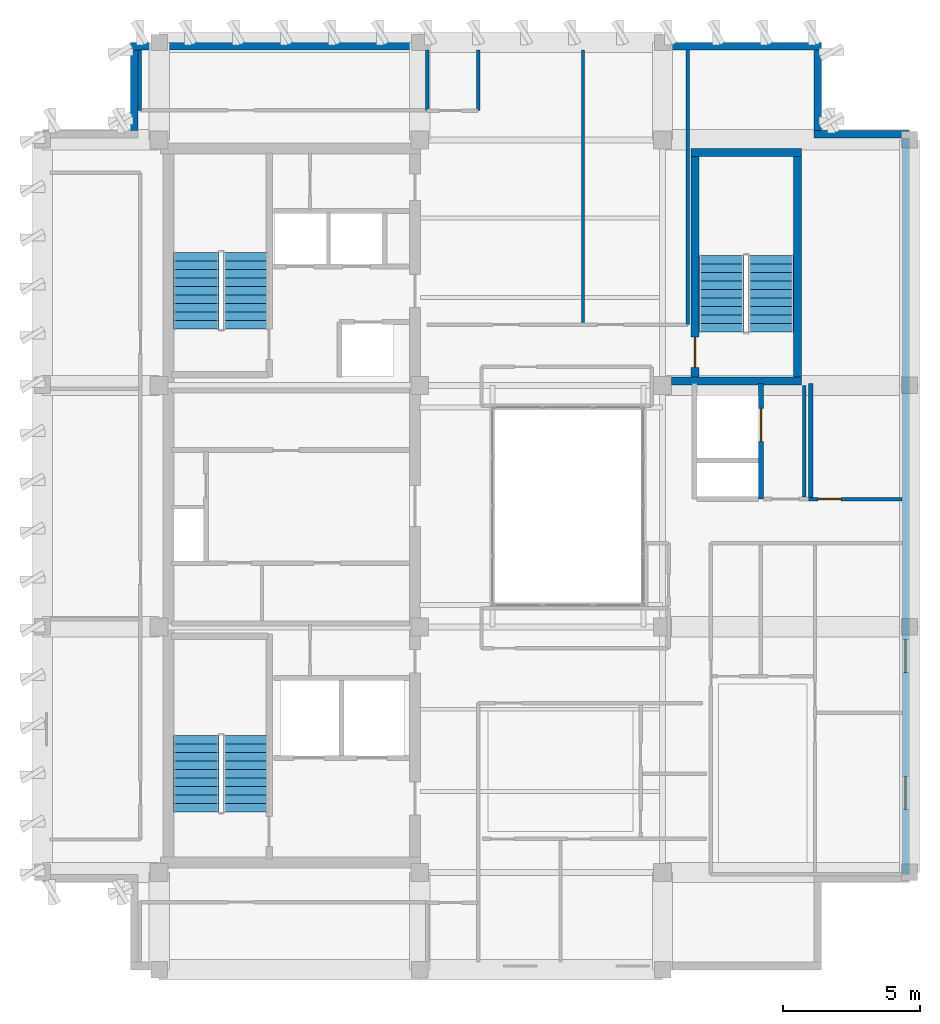
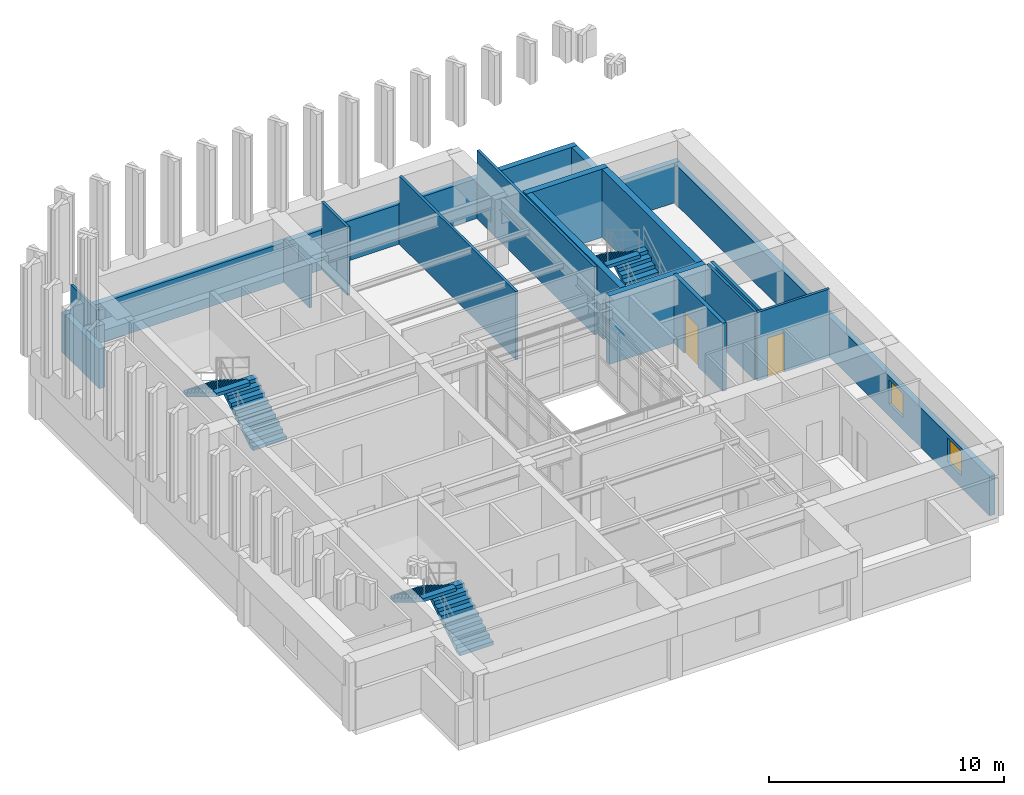
# One storey, part 9 of 11: 18 walls, 6 stair flights, 3 doors, 2 windows, 5 openings, 3 elements without a shape of their own.
"""IFC4 building model written with IfcOpenShell, lengths in metres."""

from ifc_helpers import new_model, si_unit, direction, frame, frame_2d, origin, place, context, subcontext, project, spatial, polyline, rectangle, outline, extrude, material, layer, layer_set, type_object, element, fill, aggregate, save


model = new_model("IFC4")

# Units and contexts
model_context = context("Model", 3, precision=1e-05, world=origin(), true_north=direction((0.0, 1.0)))
body_context = subcontext(model_context, "Body", "Model", "MODEL_VIEW")
ifc_project = project(units=[si_unit("LENGTHUNIT", "METRE"), si_unit("AREAUNIT", "SQUARE_METRE"), si_unit("VOLUMEUNIT", "CUBIC_METRE"), si_unit("PLANEANGLEUNIT", "RADIAN"), si_unit("MASSUNIT", "GRAM", prefix="KILO")], contexts=[model_context])

# Site, building, storey
site_placement = place(None, origin())
site = spatial("IfcSite", under=ifc_project, at=site_placement, CompositionType="ELEMENT")
building_placement = place(site_placement, origin())
building = spatial("IfcBuilding", under=site, at=building_placement, Name="Kundavana Baori Tower", CompositionType="ELEMENT")
storey_placement = place(building_placement, frame((0.0, 0.0, 346.699951171875)))
storey = spatial("IfcBuildingStorey", under=building, at=storey_placement, Name="L86", CompositionType="ELEMENT", Elevation=346.699951171875)

# Wall, openings, windows
ifc_material_1 = material(Name="Red-Buff Dholpur Sandstone Cladding on Concrete C40/50", Category="masonry")
ifc_layer_1 = layer(ifc_material_1, 0.280029296875, Name="WL-EXT-SAND-280")
ifc_layer_set_1 = layer_set([ifc_layer_1], Name="Red-Buff Dholpur Sandstone Cladding on Concrete C40/50")
wall_type_1 = type_object("IfcWallType", Name="WL-EXT-SAND-280", PredefinedType="STANDARD", material=ifc_layer_set_1)
wall_1_placement = place(storey_placement, frame((42.659912109375, 15.179931640625, 0.0), z_axis=(0.0, 0.0, 1.0), x_axis=(0.0, 1.0, 0.0)))
wall_1 = element("IfcWall", 1, at=wall_1_placement, inside=storey, type_object=wall_type_1, Name="L86 Exterior Insulated Facade Wall 04", PredefinedType="STANDARD", context=body_context, shape_type="SweptSolid", body=[
    extrude(rectangle(XDim=26.840087890625, YDim=0.280029296875, at=frame_2d((13.419921875, 0.0))), origin(), (0.0, 0.0, 1.0), 2.070068359375),
])
opening_1_placement = place(wall_1_placement, frame((2.364990234375, 0.0, 0.64990234375)))
opening_1 = element("IfcOpeningElement", 2, at=opening_1_placement, cuts=wall_1, Name="Opening W-12", PredefinedType="OPENING", context=body_context, shape_type="SweptSolid", body=[
    extrude(rectangle(XDim=1.199951171875, YDim=1.25, at=frame_2d((0.60009765625, 0.625))), frame((0.0, 0.14990234375, 0.0), z_axis=(0.0, -1.0, 0.0), x_axis=(1.0, 0.0, 0.0)), (0.0, 0.0, 1.0), 0.300048828125),
])
opening_2_placement = place(wall_1_placement, frame((7.35498046875, 0.0, 0.64990234375)))
opening_2 = element("IfcOpeningElement", 3, at=opening_2_placement, cuts=wall_1, Name="Opening W-12", PredefinedType="OPENING", context=body_context, shape_type="SweptSolid", body=[
    extrude(rectangle(XDim=1.199951171875, YDim=1.25, at=frame_2d((0.60009765625, 0.625))), frame((0.0, 0.14990234375, 0.0), z_axis=(0.0, -1.0, 0.0), x_axis=(1.0, 0.0, 0.0)), (0.0, 0.0, 1.0), 0.300048828125),
])
ifc_material_2 = material(Name="Double-Glazed Solar-Control Low-E Insulated Glass", Category="glass")
window_type = type_object("IfcWindowType", Name="WIN-TRN-1200x1250", PartitioningType="SINGLE_PANEL", PredefinedType="WINDOW", material=ifc_material_2)
window_1_placement = place(opening_1_placement, origin())
window_1 = element("IfcWindow", 4, at=window_1_placement, inside=storey, type_object=window_type, Name="L86 Dwelling Outlook Window DW-4", OverallHeight=1.25, OverallWidth=1.199951171875, PartitioningType="SINGLE_PANEL", PredefinedType="WINDOW", context=body_context, shape_type="SweptSolid", body=[
    extrude(rectangle(XDim=1.199951171875, YDim=1.25, at=frame_2d((0.60009765625, 0.625))), frame((0.0, 0.030029296875, 0.0), z_axis=(0.0, -1.0, 0.0), x_axis=(1.0, 0.0, 0.0)), (0.0, 0.0, 1.0), 0.06005859375),
])
fill(opening_1, window_1)
window_2_placement = place(opening_2_placement, origin())
window_2 = element("IfcWindow", 5, at=window_2_placement, inside=storey, type_object=window_type, Name="L86 Dwelling Outlook Window DW-5", OverallHeight=1.25, OverallWidth=1.199951171875, PartitioningType="SINGLE_PANEL", PredefinedType="WINDOW", context=body_context, shape_type="SweptSolid", body=[
    extrude(rectangle(XDim=1.199951171875, YDim=1.25, at=frame_2d((0.60009765625, 0.625))), frame((0.0, 0.030029296875, 0.0), z_axis=(0.0, -1.0, 0.0), x_axis=(1.0, 0.0, 0.0)), (0.0, 0.0, 1.0), 0.06005859375),
])
fill(opening_2, window_2)

# Walls
wall_2_placement = place(storey_placement, frame((42.800048828125, 42.159912109375, 0.0), z_axis=(0.0, 0.0, 1.0), x_axis=(-1.0, 0.0, 0.0)))
element("IfcWall", 6, at=wall_2_placement, inside=storey, type_object=wall_type_1, Name="L86 Exterior Insulated Facade Wall 05", PredefinedType="STANDARD", context=body_context, shape_type="SweptSolid", body=[
    extrude(rectangle(XDim=3.47998046875, YDim=0.280029296875, at=frame_2d((1.739990234375, 0.0))), origin(), (0.0, 0.0, 1.0), 2.070068359375),
])
wall_3_placement = place(storey_placement, frame((39.4599609375, 42.300048828125, 0.0), z_axis=(0.0, 0.0, 1.0), x_axis=(0.0, 1.0, 0.0)))
element("IfcWall", 7, at=wall_3_placement, inside=storey, type_object=wall_type_1, Name="L86 Exterior Insulated Facade Wall 06", PredefinedType="STANDARD", context=body_context, shape_type="SweptSolid", body=[
    extrude(rectangle(XDim=2.919921875, YDim=0.280029296875, at=frame_2d((1.4599609375, 0.0))), origin(), (0.0, 0.0, 1.0), 2.070068359375),
])
wall_4_placement = place(storey_placement, frame((39.60009765625, 45.360107421875, 0.0), z_axis=(0.0, 0.0, 1.0), x_axis=(-1.0, 0.0, 0.0)))
element("IfcWall", 8, at=wall_4_placement, inside=storey, type_object=wall_type_1, Name="L86 Exterior Insulated Facade Wall 07", PredefinedType="STANDARD", context=body_context, shape_type="SweptSolid", body=[
    extrude(rectangle(XDim=25.2001953125, YDim=0.280029296875, at=frame_2d((12.60009765625, 0.0))), origin(), (0.0, 0.0, 1.0), 2.070068359375),
])
wall_5_placement = place(storey_placement, frame((14.5400390625, 45.219970703125, 0.0), z_axis=(0.0, 0.0, 1.0), x_axis=(0.0, -1.0, 0.0)))
element("IfcWall", 9, at=wall_5_placement, inside=storey, type_object=wall_type_1, Name="L86 Exterior Insulated Facade Wall 08", PredefinedType="STANDARD", context=body_context, shape_type="SweptSolid", body=[
    extrude(rectangle(XDim=2.919921875, YDim=0.280029296875, at=frame_2d((1.4599609375, 0.0))), origin(), (0.0, 0.0, 1.0), 2.070068359375),
])
ifc_material_3 = material(Name="Fire-Rated Gypsum Drywall on Galvanised Steel Studs", Category="steel")
ifc_layer_2 = layer(ifc_material_3, 0.14990234375, Name="WL-PART-150")
ifc_layer_set_2 = layer_set([ifc_layer_2], Name="Fire-Rated Gypsum Drywall on Galvanised Steel Studs")
wall_type_2 = type_object("IfcWallType", Name="WL-PART-150", PredefinedType="PARTITIONING", material=ifc_layer_set_2)
wall_6_placement = place(storey_placement, frame((39.199951171875, 28.860107421875, 0.0), z_axis=(0.0, 0.0, 1.0), x_axis=(0.0, 1.0, 0.0)))
element("IfcWall", 10, at=wall_6_placement, inside=storey, type_object=wall_type_2, Name="WL-L86-SVLOB-E", PredefinedType="PARTITIONING", context=body_context, shape_type="SweptSolid", body=[
    extrude(rectangle(XDim=4.219970703125, YDim=0.14990234375, at=frame_2d((2.10986328125, 0.0))), origin(), (0.0, 0.0, 1.0), 3.550048828125),
])

# Wall, opening, door
ifc_material_4 = material(Name="Autoclaved Aerated Concrete Blockwork Masonry", Category="masonry")
ifc_layer_3 = layer(ifc_material_4, 0.179931640625, Name="WL-SHAFT-180")
ifc_layer_set_3 = layer_set([ifc_layer_3], Name="Autoclaved Aerated Concrete Blockwork Masonry")
wall_type_3 = type_object("IfcWallType", Name="WL-SHAFT-180", PredefinedType="SOLIDWALL", material=ifc_layer_set_3)
wall_7_placement = place(storey_placement, frame((37.389892578125, 28.860107421875, 0.0), z_axis=(0.0, 0.0, 1.0), x_axis=(0.0, 1.0, 0.0)))
wall_7 = element("IfcWall", 11, at=wall_7_placement, inside=storey, type_object=wall_type_3, Name="WL-L86-SVL-E", PredefinedType="SOLIDWALL", context=body_context, shape_type="SweptSolid", body=[
    extrude(rectangle(XDim=4.219970703125, YDim=0.179931640625, at=frame_2d((2.10986328125, 0.0))), origin(), (0.0, 0.0, 1.0), 3.550048828125),
])
opening_3_placement = place(wall_7_placement, frame((2.10009765625, 0.0, 0.0)))
opening_3 = element("IfcOpeningElement", 12, at=opening_3_placement, cuts=wall_7, Name="Opening LD-120", PredefinedType="OPENING", context=body_context, shape_type="SweptSolid", body=[
    extrude(rectangle(XDim=1.199951171875, YDim=2.1201171875, at=frame_2d((0.60009765625, 1.06005859375))), frame((0.0, 0.10009765625, 0.0), z_axis=(0.0, -1.0, 0.0), x_axis=(1.0, 0.0, 0.0)), (0.0, 0.0, 1.0), 0.199951171875),
])
ifc_material_5 = material(Name="Galvanised Steel Fire-Rated Door Leaf", Category="steel")
door_type_1 = type_object("IfcDoorType", Name="DR-SLIDE-LD1200", OperationType="NOTDEFINED", PredefinedType="DOOR", material=ifc_material_5)
door_1_placement = place(opening_3_placement, frame((1.199951171875, 0.0, 0.0), z_axis=(0.0, 0.0, 1.0), x_axis=(-1.0, 0.0, 0.0)))
door_1 = element("IfcDoor", 13, at=door_1_placement, inside=storey, type_object=door_type_1, Name="DR-L86-LD-SVL1", OperationType="DOUBLE_DOOR_SLIDING", OverallHeight=2.1201171875, OverallWidth=1.199951171875, PredefinedType="DOOR", context=body_context, shape_type="SweptSolid", body=[
    extrude(rectangle(XDim=1.199951171875, YDim=2.1201171875, at=frame_2d((0.60009765625, 1.06005859375))), frame((0.0, 0.02490234375, 0.0), z_axis=(0.0, -1.0, 0.0), x_axis=(1.0, 0.0, 0.0)), (0.0, 0.0, 1.0), 0.050048828125),
])
fill(opening_3, door_1)

# Walls
ifc_material_6 = material(Name="Concrete C50/60", Category="concrete")
ifc_layer_4 = layer(ifc_material_6, 0.300048828125, Name="WL-ST3-300")
ifc_layer_set_4 = layer_set([ifc_layer_4], Name="Concrete C50/60")
wall_type_4 = type_object("IfcWallType", Name="WL-ST3-300", PredefinedType="SHEAR", material=ifc_layer_set_4)
wall_8_placement = place(storey_placement, frame((34.125, 33.159912109375, 0.0), z_axis=(0.0, 0.0, 1.0), x_axis=(1.0, 0.0, 0.0)))
element("IfcWall", 14, at=wall_8_placement, inside=storey, type_object=wall_type_4, Name="L86 Stair ST3 South Shear Wall", PredefinedType="SHEAR", context=body_context, shape_type="SweptSolid", body=[
    extrude(rectangle(XDim=4.7451171875, YDim=0.300048828125, at=frame_2d((2.37255859375, 0.0))), origin(), (0.0, 0.0, 1.0), 3.550048828125),
])
wall_9_placement = place(storey_placement, frame((34.830078125, 41.489990234375, 0.0), z_axis=(0.0, 0.0, 1.0), x_axis=(1.0, 0.0, 0.0)))
element("IfcWall", 15, at=wall_9_placement, inside=storey, type_object=wall_type_4, Name="L86 Stair ST3 North Shear Wall", PredefinedType="SHEAR", context=body_context, shape_type="SweptSolid", body=[
    extrude(rectangle(XDim=4.0400390625, YDim=0.300048828125, at=frame_2d((2.02001953125, 0.0))), origin(), (0.0, 0.0, 1.0), 3.550048828125),
])

# Wall, opening, door
wall_10_placement = place(storey_placement, frame((34.97998046875, 33.31005859375, 0.0), z_axis=(0.0, 0.0, 1.0), x_axis=(0.0, 1.0, 0.0)))
wall_10 = element("IfcWall", 16, at=wall_10_placement, inside=storey, type_object=wall_type_4, Name="L86 Stair ST3 West Shear Wall", PredefinedType="SHEAR", context=body_context, shape_type="SweptSolid", body=[
    extrude(rectangle(XDim=8.030029296875, YDim=0.300048828125, at=frame_2d((4.01513671875, 0.0))), origin(), (0.0, 0.0, 1.0), 3.550048828125),
])
opening_4_placement = place(wall_10_placement, frame((0.35009765625, 0.0, 0.0)))
opening_4 = element("IfcOpeningElement", 17, at=opening_4_placement, cuts=wall_10, Name="Opening FD-110", PredefinedType="OPENING", context=body_context, shape_type="SweptSolid", body=[
    extrude(rectangle(XDim=1.10009765625, YDim=2.10009765625, at=frame_2d((0.550048828125, 1.050048828125))), frame((0.0, 0.16015625, 0.0), z_axis=(0.0, -1.0, 0.0), x_axis=(1.0, 0.0, 0.0)), (0.0, 0.0, 1.0), 0.320068359375),
])
ifc_material_7 = material(Name="Galvanised Steel Fire-Rated Door Leaf", Category="steel")
door_type_2 = type_object("IfcDoorType", Name="DR-FD120-1100", OperationType="NOTDEFINED", PredefinedType="DOOR", material=ifc_material_7)
door_2_placement = place(opening_4_placement, origin())
door_2 = element("IfcDoor", 18, at=door_2_placement, inside=storey, type_object=door_type_2, Name="DR-L86-ST3-W", OperationType="SINGLE_SWING_LEFT", OverallHeight=2.10009765625, OverallWidth=1.10009765625, PredefinedType="DOOR", context=body_context, shape_type="SweptSolid", body=[
    extrude(rectangle(XDim=1.10009765625, YDim=2.10009765625, at=frame_2d((0.550048828125, 1.050048828125))), frame((0.0, 0.02490234375, 0.0), z_axis=(0.0, -1.0, 0.0), x_axis=(1.0, 0.0, 0.0)), (0.0, 0.0, 1.0), 0.050048828125),
])
fill(opening_4, door_2)

# Walls
wall_11_placement = place(storey_placement, frame((38.719970703125, 33.31005859375, 0.0), z_axis=(0.0, 0.0, 1.0), x_axis=(0.0, 1.0, 0.0)))
element("IfcWall", 19, at=wall_11_placement, inside=storey, type_object=wall_type_4, Name="L86 Stair ST3 East Shear Wall", PredefinedType="SHEAR", context=body_context, shape_type="SweptSolid", body=[
    extrude(rectangle(XDim=8.030029296875, YDim=0.300048828125, at=frame_2d((4.01513671875, 0.0))), origin(), (0.0, 0.0, 1.0), 3.550048828125),
])
ifc_material_8 = material(Name="Autoclaved Aerated Concrete Blockwork Masonry", Category="masonry")
ifc_layer_5 = layer(ifc_material_8, 0.125, Name="WL-WET-120")
ifc_layer_set_5 = layer_set([ifc_layer_5], Name="Autoclaved Aerated Concrete Blockwork Masonry")
wall_type_5 = type_object("IfcWallType", Name="WL-WET-120", PredefinedType="PLUMBINGWALL", material=ifc_layer_set_5)
wall_12_placement = place(storey_placement, frame((14.75, 43.030029296875, 0.0), z_axis=(0.0, 0.0, 1.0), x_axis=(0.0, 1.0, 0.0)))
element("IfcWall", 20, at=wall_12_placement, inside=storey, type_object=wall_type_5, Name="WL-L86-RNCW", PredefinedType="PLUMBINGWALL", context=body_context, shape_type="SweptSolid", body=[
    extrude(rectangle(XDim=2.18994140625, YDim=0.125, at=frame_2d((1.094970703125, 0.0))), origin(), (0.0, 0.0, 1.0), 3.550048828125),
])
wall_13_placement = place(storey_placement, frame((25.219970703125, 43.030029296875, 0.0), z_axis=(0.0, 0.0, 1.0), x_axis=(0.0, 1.0, 0.0)))
element("IfcWall", 21, at=wall_13_placement, inside=storey, type_object=wall_type_5, Name="WL-L86-RNCE", PredefinedType="PLUMBINGWALL", context=body_context, shape_type="SweptSolid", body=[
    extrude(rectangle(XDim=2.18994140625, YDim=0.125, at=frame_2d((1.094970703125, 0.0))), origin(), (0.0, 0.0, 1.0), 2.22998046875),
])
wall_14_placement = place(storey_placement, frame((34.719970703125, 35.219970703125, 0.0), z_axis=(0.0, 0.0, 1.0), x_axis=(0.0, 1.0, 0.0)))
element("IfcWall", 22, at=wall_14_placement, inside=storey, type_object=wall_type_5, Name="WL-L86-RNEND", PredefinedType="PLUMBINGWALL", context=body_context, shape_type="SweptSolid", body=[
    extrude(rectangle(XDim=10.0, YDim=0.125, at=frame_2d((5.0, 0.0))), origin(), (0.0, 0.0, 1.0), 3.550048828125),
])
wall_15_placement = place(storey_placement, frame((30.89990234375, 35.300048828125, 0.0), z_axis=(0.0, 0.0, 1.0), x_axis=(0.0, 1.0, 0.0)))
element("IfcWall", 23, at=wall_15_placement, inside=storey, type_object=wall_type_5, Name="WL-L86-RND85", PredefinedType="PLUMBINGWALL", context=body_context, shape_type="SweptSolid", body=[
    extrude(rectangle(XDim=9.919921875, YDim=0.125, at=frame_2d((4.9599609375, 0.0))), origin(), (0.0, 0.0, 1.0), 3.550048828125),
])

# Wall, opening, door
wall_16_placement = place(storey_placement, frame((38.9599609375, 28.860107421875, 0.0), z_axis=(0.0, 0.0, 1.0), x_axis=(1.0, 0.0, 0.0)))
wall_16 = element("IfcWall", 24, at=wall_16_placement, inside=storey, type_object=wall_type_5, Name="WL-L86-CNES", PredefinedType="PLUMBINGWALL", context=body_context, shape_type="SweptSolid", body=[
    extrude(rectangle(XDim=3.56005859375, YDim=0.125, at=frame_2d((1.780029296875, 0.0))), origin(), (0.0, 0.0, 1.0), 3.550048828125),
])
opening_5_placement = place(wall_16_placement, frame((0.5, 0.0, 0.0)))
opening_5 = element("IfcOpeningElement", 25, at=opening_5_placement, cuts=wall_16, Name="Opening WD-085", PredefinedType="OPENING", context=body_context, shape_type="SweptSolid", body=[
    extrude(rectangle(XDim=0.85009765625, YDim=2.050048828125, at=frame_2d((0.425048828125, 1.02490234375))), frame((0.0, 0.072509765625, 0.0), z_axis=(0.0, -1.0, 0.0), x_axis=(1.0, 0.0, 0.0)), (0.0, 0.0, 1.0), 0.14501953125),
])
ifc_material_9 = material(Name="Engineered Teak Solid-Core Timber Veneer", Category="wood")
door_type_3 = type_object("IfcDoorType", Name="DR-WET-850", OperationType="NOTDEFINED", PredefinedType="DOOR", material=ifc_material_9)
door_3_placement = place(opening_5_placement, origin())
door_3 = element("IfcDoor", 26, at=door_3_placement, inside=storey, type_object=door_type_3, Name="DR-L86-RCNE", OperationType="SINGLE_SWING_LEFT", OverallHeight=2.050048828125, OverallWidth=0.85009765625, PredefinedType="DOOR", context=body_context, shape_type="SweptSolid", body=[
    extrude(rectangle(XDim=0.85009765625, YDim=2.050048828125, at=frame_2d((0.425048828125, 1.02490234375))), frame((0.0, 0.02490234375, 0.0), z_axis=(0.0, -1.0, 0.0), x_axis=(1.0, 0.0, 0.0)), (0.0, 0.0, 1.0), 0.050048828125),
])
fill(opening_5, door_3)

# Walls
wall_17_placement = place(storey_placement, frame((38.9599609375, 28.93994140625, 0.0), z_axis=(0.0, 0.0, 1.0), x_axis=(0.0, 1.0, 0.0)))
element("IfcWall", 27, at=wall_17_placement, inside=storey, type_object=wall_type_5, Name="WL-L86-CNEW", PredefinedType="PLUMBINGWALL", context=body_context, shape_type="SweptSolid", body=[
    extrude(rectangle(XDim=4.06005859375, YDim=0.125, at=frame_2d((2.030029296875, 0.0))), origin(), (0.0, 0.0, 1.0), 3.550048828125),
])
wall_18_placement = place(storey_placement, frame((27.080078125, 43.02001953125, 0.0), z_axis=(0.0, 0.0, 1.0), x_axis=(0.0, 1.0, 0.0)))
element("IfcWall", 28, at=wall_18_placement, inside=storey, type_object=wall_type_5, Name="WL-L86-CNCE", PredefinedType="PLUMBINGWALL", context=body_context, shape_type="SweptSolid", body=[
    extrude(rectangle(XDim=2.199951171875, YDim=0.125, at=frame_2d((1.10009765625, 0.0))), origin(), (0.0, 0.0, 1.0), 3.550048828125),
])

# Stair, stair flights
ifc_material_10 = material(Name="Concrete C40/50", Category="concrete")
stair_type = type_object("IfcStairType", Name="STR-DOG-1650", PredefinedType="HALF_TURN_STAIR", material=ifc_material_10)
stair_1_placement = place(storey_placement, origin())
stair_1 = element("IfcStair", 29, at=stair_1_placement, inside=storey, type_object=stair_type, Name="L86 Protected Exit Stair ST1", PredefinedType="HALF_TURN_STAIR")
ifc_material_11 = material(Name="Concrete C40/50", Category="concrete")
stair_flight_type = type_object("IfcStairFlightType", Name="SFL-RC-1650", PredefinedType="STRAIGHT", material=ifc_material_11)
stair_flight_1_placement = place(storey_placement, frame((18.614990234375, 17.449951171875, 0.0), z_axis=(0.0, 0.0, 1.0), x_axis=(0.0, 1.0, 0.0)))
stair_flight_1 = element("IfcStairFlight", 30, at=stair_flight_1_placement, type_object=stair_flight_type, Name="ST1 flight 1", NumberOfRisers=10, NumberOfTreads=9, PredefinedType="STRAIGHT", RiserHeight=0.19, TreadLength=0.31, context=body_context, shape_type="SweptSolid", body=[
    extrude(outline(polyline([(0.0, 0.0), (0.0, 0.18994140625), (0.31005859375, 0.18994140625), (0.31005859375, 0.3798828125), (0.6201171875, 0.3798828125), (0.6201171875, 0.570068359375), (0.929931640625, 0.570068359375), (0.929931640625, 0.760009765625), (1.239990234375, 0.760009765625), (1.239990234375, 0.949951171875), (1.550048828125, 0.949951171875), (1.550048828125, 1.139892578125), (1.860107421875, 1.139892578125), (1.860107421875, 1.330078125), (2.169921875, 1.330078125), (2.169921875, 1.52001953125), (2.47998046875, 1.52001953125), (2.47998046875, 1.7099609375), (2.7900390625, 1.7099609375), (2.7900390625, 1.89990234375), (2.7900390625, 1.5341796875), (0.286865234375, 0.0), (0.0, 0.0)])), frame((0.0, 0.824951171875, 0.0), z_axis=(0.0, -1.0, 0.0), x_axis=(1.0, 0.0, 0.0)), (0.0, 0.0, 1.0), 1.64990234375),
])
stair_flight_2_placement = place(storey_placement, frame((16.804931640625, 20.239990234375, 1.900146484375), z_axis=(0.0, 0.0, 1.0), x_axis=(0.0, -1.0, 0.0)))
stair_flight_2 = element("IfcStairFlight", 31, at=stair_flight_2_placement, type_object=stair_flight_type, Name="ST1 flight 2", NumberOfRisers=10, NumberOfTreads=9, PredefinedType="STRAIGHT", RiserHeight=0.19, TreadLength=0.31, context=body_context, shape_type="SweptSolid", body=[
    extrude(outline(polyline([(0.0, 0.0), (0.0, 0.18994140625), (0.31005859375, 0.18994140625), (0.31005859375, 0.3798828125), (0.6201171875, 0.3798828125), (0.6201171875, 0.570068359375), (0.929931640625, 0.570068359375), (0.929931640625, 0.760009765625), (1.239990234375, 0.760009765625), (1.239990234375, 0.949951171875), (1.550048828125, 0.949951171875), (1.550048828125, 1.139892578125), (1.860107421875, 1.139892578125), (1.860107421875, 1.330078125), (2.169921875, 1.330078125), (2.169921875, 1.52001953125), (2.47998046875, 1.52001953125), (2.47998046875, 1.7099609375), (2.7900390625, 1.7099609375), (2.7900390625, 1.89990234375), (2.7900390625, 1.5341796875), (0.286865234375, 0.0), (0.0, 0.0)])), frame((0.0, 0.824951171875, 0.0), z_axis=(0.0, -1.0, 0.0), x_axis=(1.0, 0.0, 0.0)), (0.0, 0.0, 1.0), 1.64990234375),
])
aggregate(stair_1, [stair_flight_1, stair_flight_2])

stair_2_placement = place(storey_placement, origin())
stair_2 = element("IfcStair", 32, at=stair_2_placement, inside=storey, type_object=stair_type, Name="L86 Protected Exit Stair ST2", PredefinedType="HALF_TURN_STAIR")
stair_flight_3_placement = place(storey_placement, frame((18.614990234375, 35.050048828125, 0.0), z_axis=(0.0, 0.0, 1.0), x_axis=(0.0, 1.0, 0.0)))
stair_flight_3 = element("IfcStairFlight", 33, at=stair_flight_3_placement, type_object=stair_flight_type, Name="ST2 flight 1", NumberOfRisers=10, NumberOfTreads=9, PredefinedType="STRAIGHT", RiserHeight=0.19, TreadLength=0.31, context=body_context, shape_type="SweptSolid", body=[
    extrude(outline(polyline([(0.0, 0.0), (0.0, 0.18994140625), (0.31005859375, 0.18994140625), (0.31005859375, 0.3798828125), (0.6201171875, 0.3798828125), (0.6201171875, 0.570068359375), (0.929931640625, 0.570068359375), (0.929931640625, 0.760009765625), (1.239990234375, 0.760009765625), (1.239990234375, 0.949951171875), (1.550048828125, 0.949951171875), (1.550048828125, 1.139892578125), (1.860107421875, 1.139892578125), (1.860107421875, 1.330078125), (2.169921875, 1.330078125), (2.169921875, 1.52001953125), (2.47998046875, 1.52001953125), (2.47998046875, 1.7099609375), (2.7900390625, 1.7099609375), (2.7900390625, 1.89990234375), (2.7900390625, 1.5341796875), (0.286865234375, 0.0), (0.0, 0.0)])), frame((0.0, 0.824951171875, 0.0), z_axis=(0.0, -1.0, 0.0), x_axis=(1.0, 0.0, 0.0)), (0.0, 0.0, 1.0), 1.64990234375),
])
stair_flight_4_placement = place(storey_placement, frame((16.804931640625, 37.840087890625, 1.900146484375), z_axis=(0.0, 0.0, 1.0), x_axis=(0.0, -1.0, 0.0)))
stair_flight_4 = element("IfcStairFlight", 34, at=stair_flight_4_placement, type_object=stair_flight_type, Name="ST2 flight 2", NumberOfRisers=10, NumberOfTreads=9, PredefinedType="STRAIGHT", RiserHeight=0.19, TreadLength=0.31, context=body_context, shape_type="SweptSolid", body=[
    extrude(outline(polyline([(0.0, 0.0), (0.0, 0.18994140625), (0.31005859375, 0.18994140625), (0.31005859375, 0.3798828125), (0.6201171875, 0.3798828125), (0.6201171875, 0.570068359375), (0.929931640625, 0.570068359375), (0.929931640625, 0.760009765625), (1.239990234375, 0.760009765625), (1.239990234375, 0.949951171875), (1.550048828125, 0.949951171875), (1.550048828125, 1.139892578125), (1.860107421875, 1.139892578125), (1.860107421875, 1.330078125), (2.169921875, 1.330078125), (2.169921875, 1.52001953125), (2.47998046875, 1.52001953125), (2.47998046875, 1.7099609375), (2.7900390625, 1.7099609375), (2.7900390625, 1.89990234375), (2.7900390625, 1.5341796875), (0.286865234375, 0.0), (0.0, 0.0)])), frame((0.0, 0.824951171875, 0.0), z_axis=(0.0, -1.0, 0.0), x_axis=(1.0, 0.0, 0.0)), (0.0, 0.0, 1.0), 1.64990234375),
])
aggregate(stair_2, [stair_flight_3, stair_flight_4])

stair_3_placement = place(storey_placement, origin())
stair_3 = element("IfcStair", 35, at=stair_3_placement, inside=storey, type_object=stair_type, Name="L86 Protected Exit Stair ST3", PredefinedType="HALF_TURN_STAIR")
stair_flight_5_placement = place(storey_placement, frame((37.7548828125, 34.949951171875, 0.0), z_axis=(0.0, 0.0, 1.0), x_axis=(0.0, 1.0, 0.0)))
stair_flight_5 = element("IfcStairFlight", 36, at=stair_flight_5_placement, type_object=stair_flight_type, Name="ST3 flight 1", NumberOfRisers=10, NumberOfTreads=9, PredefinedType="STRAIGHT", RiserHeight=0.19, TreadLength=0.31, context=body_context, shape_type="SweptSolid", body=[
    extrude(outline(polyline([(0.0, 0.0), (0.0, 0.18994140625), (0.31005859375, 0.18994140625), (0.31005859375, 0.3798828125), (0.6201171875, 0.3798828125), (0.6201171875, 0.570068359375), (0.929931640625, 0.570068359375), (0.929931640625, 0.760009765625), (1.239990234375, 0.760009765625), (1.239990234375, 0.949951171875), (1.550048828125, 0.949951171875), (1.550048828125, 1.139892578125), (1.860107421875, 1.139892578125), (1.860107421875, 1.330078125), (2.169921875, 1.330078125), (2.169921875, 1.52001953125), (2.47998046875, 1.52001953125), (2.47998046875, 1.7099609375), (2.7900390625, 1.7099609375), (2.7900390625, 1.89990234375), (2.7900390625, 1.5341796875), (0.286865234375, 0.0), (0.0, 0.0)])), frame((0.0, 0.824951171875, 0.0), z_axis=(0.0, -1.0, 0.0), x_axis=(1.0, 0.0, 0.0)), (0.0, 0.0, 1.0), 1.64990234375),
])
stair_flight_6_placement = place(storey_placement, frame((35.945068359375, 37.739990234375, 1.900146484375), z_axis=(0.0, 0.0, 1.0), x_axis=(0.0, -1.0, 0.0)))
stair_flight_6 = element("IfcStairFlight", 37, at=stair_flight_6_placement, type_object=stair_flight_type, Name="ST3 flight 2", NumberOfRisers=10, NumberOfTreads=9, PredefinedType="STRAIGHT", RiserHeight=0.19, TreadLength=0.31, context=body_context, shape_type="SweptSolid", body=[
    extrude(outline(polyline([(0.0, 0.0), (0.0, 0.18994140625), (0.31005859375, 0.18994140625), (0.31005859375, 0.3798828125), (0.6201171875, 0.3798828125), (0.6201171875, 0.570068359375), (0.929931640625, 0.570068359375), (0.929931640625, 0.760009765625), (1.239990234375, 0.760009765625), (1.239990234375, 0.949951171875), (1.550048828125, 0.949951171875), (1.550048828125, 1.139892578125), (1.860107421875, 1.139892578125), (1.860107421875, 1.330078125), (2.169921875, 1.330078125), (2.169921875, 1.52001953125), (2.47998046875, 1.52001953125), (2.47998046875, 1.7099609375), (2.7900390625, 1.7099609375), (2.7900390625, 1.89990234375), (2.7900390625, 1.5341796875), (0.286865234375, 0.0), (0.0, 0.0)])), frame((0.0, 0.824951171875, 0.0), z_axis=(0.0, -1.0, 0.0), x_axis=(1.0, 0.0, 0.0)), (0.0, 0.0, 1.0), 1.64990234375),
])
aggregate(stair_3, [stair_flight_5, stair_flight_6])

save(model, "model.ifc")
